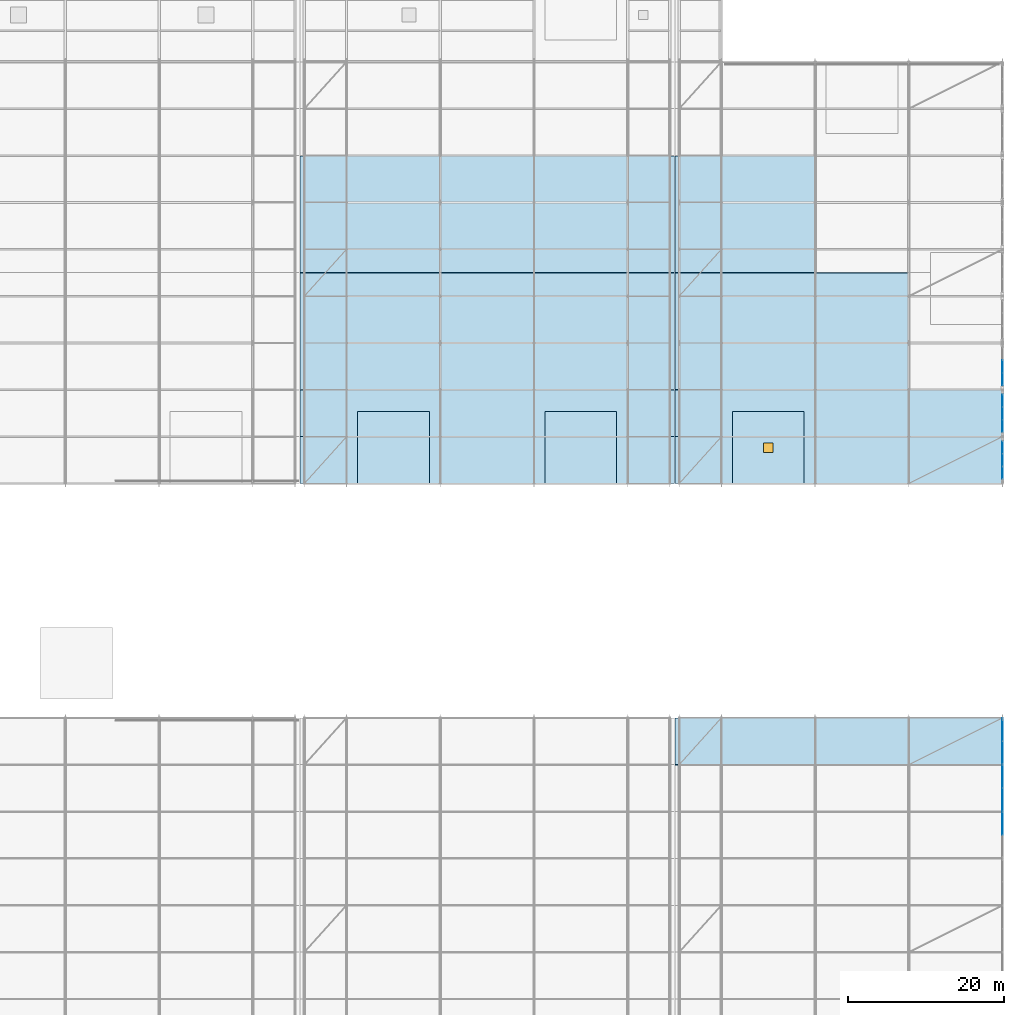
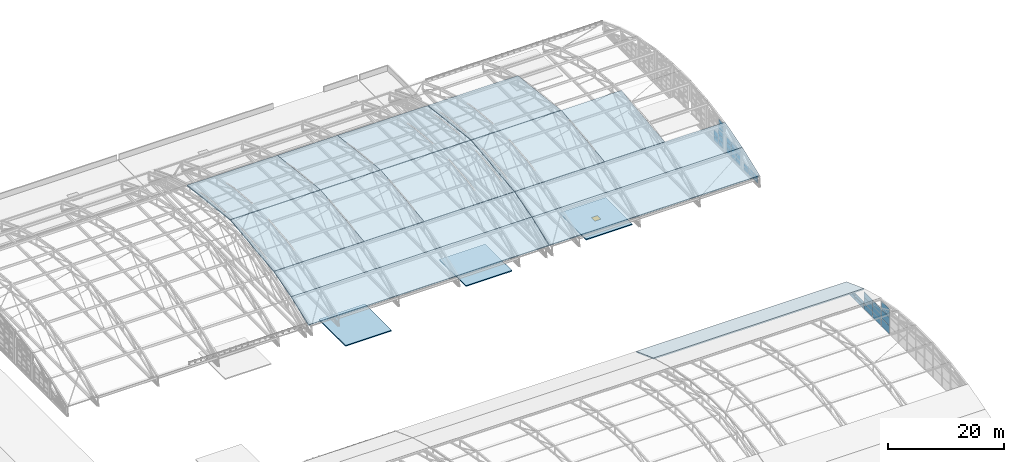
"""IFC4 building model written with IfcOpenShell, lengths in metres."""

from ifc_helpers import new_model, si_unit, direction, frame, origin, origin_2d, place, context, subcontext, project, spatial, polyline, rectangle, outline, extrude, material, layer, layer_set, type_object, element, fill, aggregate, save


model = new_model("IFC4")

# Units and contexts
model_context = context("Model", 3, precision=1e-05, world=origin(), true_north=direction((0.0, 1.0)))
body_context = subcontext(model_context, "Body", "Model", "MODEL_VIEW")
ifc_project = project(units=[si_unit("LENGTHUNIT", "METRE"), si_unit("AREAUNIT", "SQUARE_METRE"), si_unit("VOLUMEUNIT", "CUBIC_METRE"), si_unit("PLANEANGLEUNIT", "RADIAN"), si_unit("MASSUNIT", "GRAM", prefix="KILO")], contexts=[model_context])

# Site, building, storey
site_placement = place(None, origin())
site = spatial("IfcSite", under=ifc_project, at=site_placement, CompositionType="ELEMENT")
building_placement = place(site_placement, origin())
building = spatial("IfcBuilding", under=site, at=building_placement, Name="Zilviju Railside Exhibition Hall", CompositionType="ELEMENT")
storey_1_placement = place(building_placement, frame((0.0, 0.0, 21.0)))
storey_1 = spatial("IfcBuildingStorey", under=building, at=storey_1_placement, Name="RF", CompositionType="ELEMENT", Elevation=21.0)

# Curtain wall, plates
ifc_material_1 = material(Name="Thermally broken aluminium-steel triple-glazed curtain wall", Category="steel")
ifc_layer_1 = layer(ifc_material_1, 0.179931640625)
ifc_layer_set_1 = layer_set([ifc_layer_1], Name="Thermally broken aluminium-steel triple-glazed curtain wall")
curtain_wall_type_1 = type_object("IfcCurtainWallType", Name="CW-BAY-15", PredefinedType="USERDEFINED", material=ifc_layer_set_1)
curtain_wall_1_placement = place(storey_1_placement, origin())
curtain_wall_1 = element("IfcCurtainWall", 1, at=curtain_wall_1_placement, inside=storey_1, type_object=curtain_wall_type_1, Name="North Hall Arch Lower Tympanum Glazing East P3", ObjectType="GLAZED CURTAIN WALL", PredefinedType="USERDEFINED")
ifc_material_2 = material(Name="Laminated acoustic double-glazed porch unit", Category="glass")
ifc_layer_2 = layer(ifc_material_2, 0.031982421875)
ifc_layer_set_2 = layer_set([ifc_layer_2], Name="Laminated acoustic double-glazed porch unit")
plate_type_1 = type_object("IfcPlateType", Name="CWP-IGU-32", PredefinedType="CURTAIN_PANEL", material=ifc_layer_set_2)
plate_1_placement = place(storey_1_placement, frame((216.0, 99.0, -3.5400390625), z_axis=(0.0, 0.0, 1.0), x_axis=(0.0, -1.0, 0.0)))
plate_1 = element("IfcPlate", 2, at=plate_1_placement, type_object=plate_type_1, Name="CW-15 panel 2.1", PredefinedType="CURTAIN_PANEL", context=body_context, shape_type="SweptSolid", body=[
    extrude(rectangle(XDim=1.5732421875, YDim=0.031982421875, at=origin_2d()), origin(), (0.0, 0.0, 1.0), 1.04296875),
])
plate_2_placement = place(storey_1_placement, frame((216.0, 99.0, -2.43701171875), z_axis=(0.0, 0.0, 1.0), x_axis=(0.0, -1.0, 0.0)))
plate_2 = element("IfcPlate", 3, at=plate_2_placement, type_object=plate_type_1, Name="CW-15 panel 2.2", PredefinedType="CURTAIN_PANEL", context=body_context, shape_type="SweptSolid", body=[
    extrude(rectangle(XDim=1.5732421875, YDim=0.031982421875, at=origin_2d()), origin(), (0.0, 0.0, 1.0), 1.073974609375),
])
plate_3_placement = place(storey_1_placement, frame((216.0, 97.381591796875, -3.5400390625), z_axis=(0.0, 0.0, 1.0), x_axis=(0.0, -1.0, 0.0)))
plate_3 = element("IfcPlate", 4, at=plate_3_placement, type_object=plate_type_1, Name="CW-15 panel 3.1", PredefinedType="CURTAIN_PANEL", context=body_context, shape_type="SweptSolid", body=[
    extrude(rectangle(XDim=1.543212890625, YDim=0.031982421875, at=origin_2d()), origin(), (0.0, 0.0, 1.0), 1.04296875),
])
plate_4_placement = place(storey_1_placement, frame((216.0, 97.381591796875, -2.43701171875), z_axis=(0.0, 0.0, 1.0), x_axis=(0.0, -1.0, 0.0)))
plate_4 = element("IfcPlate", 5, at=plate_4_placement, type_object=plate_type_1, Name="CW-15 panel 3.2", PredefinedType="CURTAIN_PANEL", context=body_context, shape_type="SweptSolid", body=[
    extrude(rectangle(XDim=1.543212890625, YDim=0.031982421875, at=origin_2d()), origin(), (0.0, 0.0, 1.0), 1.073974609375),
])
plate_5_placement = place(storey_1_placement, frame((216.0, 97.381591796875, -1.302978515625), z_axis=(0.0, 0.0, 1.0), x_axis=(0.0, -1.0, 0.0)))
plate_5 = element("IfcPlate", 6, at=plate_5_placement, type_object=plate_type_1, Name="CW-15 panel 3.3", PredefinedType="CURTAIN_PANEL", context=body_context, shape_type="SweptSolid", body=[
    extrude(rectangle(XDim=1.543212890625, YDim=0.031982421875, at=origin_2d()), origin(), (0.0, 0.0, 1.0), 1.04296875),
])
aggregate(curtain_wall_1, [plate_1, plate_2, plate_3, plate_4, plate_5])

ifc_layer_3 = layer(ifc_material_1, 0.179931640625)
ifc_layer_set_3 = layer_set([ifc_layer_3], Name="Thermally broken aluminium-steel triple-glazed curtain wall")
curtain_wall_type_2 = type_object("IfcCurtainWallType", Name="CW-BAY-14", PredefinedType="USERDEFINED", material=ifc_layer_set_3)
curtain_wall_2_placement = place(storey_1_placement, origin())
curtain_wall_2 = element("IfcCurtainWall", 7, at=curtain_wall_2_placement, inside=storey_1, type_object=curtain_wall_type_2, Name="North Hall Arch Lower Tympanum Glazing East P2", ObjectType="GLAZED CURTAIN WALL", PredefinedType="USERDEFINED")
ifc_material_3 = material(Name="Triple-glazed solar-control glass unit", Category="glass")
ifc_layer_4 = layer(ifc_material_3, 0.0380859375)
ifc_layer_set_4 = layer_set([ifc_layer_4], Name="Triple-glazed solar-control glass unit")
plate_type_2 = type_object("IfcPlateType", Name="CWP-IGU-38", PredefinedType="CURTAIN_PANEL", material=ifc_layer_set_4)
plate_6_placement = place(storey_1_placement, frame((216.0, 94.6171875, -3.53515625), z_axis=(0.0, 0.0, 1.0), x_axis=(0.0, -1.0, 0.0)))
plate_6 = element("IfcPlate", 8, at=plate_6_placement, type_object=plate_type_2, Name="CW-14 panel 1.1", PredefinedType="CURTAIN_PANEL", context=body_context, shape_type="SweptSolid", body=[
    extrude(rectangle(XDim=1.535888671875, YDim=0.0380859375, at=origin_2d()), origin(), (0.0, 0.0, 1.0), 1.035400390625),
])
plate_7_placement = place(storey_1_placement, frame((216.0, 94.6171875, -2.4345703125), z_axis=(0.0, 0.0, 1.0), x_axis=(0.0, -1.0, 0.0)))
plate_7 = element("IfcPlate", 9, at=plate_7_placement, type_object=plate_type_2, Name="CW-14 panel 1.2", PredefinedType="CURTAIN_PANEL", context=body_context, shape_type="SweptSolid", body=[
    extrude(rectangle(XDim=1.535888671875, YDim=0.0380859375, at=origin_2d()), origin(), (0.0, 0.0, 1.0), 1.069091796875),
])
plate_8_placement = place(storey_1_placement, frame((216.0, 94.6171875, -1.30029296875), z_axis=(0.0, 0.0, 1.0), x_axis=(0.0, -1.0, 0.0)))
plate_8 = element("IfcPlate", 10, at=plate_8_placement, type_object=plate_type_2, Name="CW-14 panel 1.3", PredefinedType="CURTAIN_PANEL", context=body_context, shape_type="SweptSolid", body=[
    extrude(rectangle(XDim=1.535888671875, YDim=0.0380859375, at=origin_2d()), origin(), (0.0, 0.0, 1.0), 1.035400390625),
])
plate_9_placement = place(storey_1_placement, frame((216.0, 93.0, -3.53515625), z_axis=(0.0, 0.0, 1.0), x_axis=(0.0, -1.0, 0.0)))
plate_9 = element("IfcPlate", 11, at=plate_9_placement, type_object=plate_type_2, Name="CW-14 panel 2.1", PredefinedType="CURTAIN_PANEL", context=body_context, shape_type="SweptSolid", body=[
    extrude(rectangle(XDim=1.568359375, YDim=0.0380859375, at=origin_2d()), origin(), (0.0, 0.0, 1.0), 1.035400390625),
])
plate_10_placement = place(storey_1_placement, frame((216.0, 93.0, -2.4345703125), z_axis=(0.0, 0.0, 1.0), x_axis=(0.0, -1.0, 0.0)))
plate_10 = element("IfcPlate", 12, at=plate_10_placement, type_object=plate_type_2, Name="CW-14 panel 2.2", PredefinedType="CURTAIN_PANEL", context=body_context, shape_type="SweptSolid", body=[
    extrude(rectangle(XDim=1.568359375, YDim=0.0380859375, at=origin_2d()), origin(), (0.0, 0.0, 1.0), 1.069091796875),
])
plate_11_placement = place(storey_1_placement, frame((216.0, 93.0, -1.30029296875), z_axis=(0.0, 0.0, 1.0), x_axis=(0.0, -1.0, 0.0)))
plate_11 = element("IfcPlate", 13, at=plate_11_placement, type_object=plate_type_2, Name="CW-14 panel 2.3", PredefinedType="CURTAIN_PANEL", context=body_context, shape_type="SweptSolid", body=[
    extrude(rectangle(XDim=1.568359375, YDim=0.0380859375, at=origin_2d()), origin(), (0.0, 0.0, 1.0), 1.035400390625),
])
plate_12_placement = place(storey_1_placement, frame((216.0, 91.3828125, -3.53515625), z_axis=(0.0, 0.0, 1.0), x_axis=(0.0, -1.0, 0.0)))
plate_12 = element("IfcPlate", 14, at=plate_12_placement, type_object=plate_type_2, Name="CW-14 panel 3.1", PredefinedType="CURTAIN_PANEL", context=body_context, shape_type="SweptSolid", body=[
    extrude(rectangle(XDim=1.535888671875, YDim=0.0380859375, at=origin_2d()), origin(), (0.0, 0.0, 1.0), 1.035400390625),
])
plate_13_placement = place(storey_1_placement, frame((216.0, 91.3828125, -2.4345703125), z_axis=(0.0, 0.0, 1.0), x_axis=(0.0, -1.0, 0.0)))
plate_13 = element("IfcPlate", 15, at=plate_13_placement, type_object=plate_type_2, Name="CW-14 panel 3.2", PredefinedType="CURTAIN_PANEL", context=body_context, shape_type="SweptSolid", body=[
    extrude(rectangle(XDim=1.535888671875, YDim=0.0380859375, at=origin_2d()), origin(), (0.0, 0.0, 1.0), 1.069091796875),
])
plate_14_placement = place(storey_1_placement, frame((216.0, 91.3828125, -1.30029296875), z_axis=(0.0, 0.0, 1.0), x_axis=(0.0, -1.0, 0.0)))
plate_14 = element("IfcPlate", 16, at=plate_14_placement, type_object=plate_type_2, Name="CW-14 panel 3.3", PredefinedType="CURTAIN_PANEL", context=body_context, shape_type="SweptSolid", body=[
    extrude(rectangle(XDim=1.535888671875, YDim=0.0380859375, at=origin_2d()), origin(), (0.0, 0.0, 1.0), 1.035400390625),
])
aggregate(curtain_wall_2, [plate_6, plate_7, plate_8, plate_9, plate_10, plate_11, plate_12, plate_13, plate_14])

ifc_layer_5 = layer(ifc_material_1, 0.179931640625)
ifc_layer_set_5 = layer_set([ifc_layer_5], Name="Thermally broken aluminium-steel triple-glazed curtain wall")
curtain_wall_type_3 = type_object("IfcCurtainWallType", Name="CW-BAY-13", PredefinedType="USERDEFINED", material=ifc_layer_set_5)
curtain_wall_3_placement = place(storey_1_placement, origin())
curtain_wall_3 = element("IfcCurtainWall", 17, at=curtain_wall_3_placement, inside=storey_1, type_object=curtain_wall_type_3, Name="North Hall Arch Lower Tympanum Glazing East P1", ObjectType="GLAZED CURTAIN WALL", PredefinedType="USERDEFINED")
ifc_material_4 = material(Name="Triple-glazed low-E argon insulating glass unit", Category="glass")
ifc_layer_6 = layer(ifc_material_4, 0.0439453125)
ifc_layer_set_6 = layer_set([ifc_layer_6], Name="Triple-glazed low-E argon insulating glass unit")
plate_type_3 = type_object("IfcPlateType", Name="CWP-IGU-44", PredefinedType="CURTAIN_PANEL", material=ifc_layer_set_6)
plate_15_placement = place(storey_1_placement, frame((216.0, 88.61572265625, -3.5302734375), z_axis=(0.0, 0.0, 1.0), x_axis=(0.0, -1.0, 0.0)))
plate_15 = element("IfcPlate", 18, at=plate_15_placement, type_object=plate_type_3, Name="CW-13 panel 1.1", PredefinedType="CURTAIN_PANEL", context=body_context, shape_type="SweptSolid", body=[
    extrude(rectangle(XDim=1.5283203125, YDim=0.0439453125, at=origin_2d()), origin(), (0.0, 0.0, 1.0), 0.695068359375),
])
plate_16_placement = place(storey_1_placement, frame((216.0, 88.61572265625, -2.76513671875), z_axis=(0.0, 0.0, 1.0), x_axis=(0.0, -1.0, 0.0)))
plate_16 = element("IfcPlate", 19, at=plate_16_placement, type_object=plate_type_3, Name="CW-13 panel 1.2", PredefinedType="CURTAIN_PANEL", context=body_context, shape_type="SweptSolid", body=[
    extrude(rectangle(XDim=1.5283203125, YDim=0.0439453125, at=origin_2d()), origin(), (0.0, 0.0, 1.0), 0.695068359375),
])
plate_17_placement = place(storey_1_placement, frame((216.0, 87.0, -3.5302734375), z_axis=(0.0, 0.0, 1.0), x_axis=(0.0, -1.0, 0.0)))
plate_17 = element("IfcPlate", 20, at=plate_17_placement, type_object=plate_type_3, Name="CW-13 panel 2.1", PredefinedType="CURTAIN_PANEL", context=body_context, shape_type="SweptSolid", body=[
    extrude(rectangle(XDim=1.563232421875, YDim=0.0439453125, at=origin_2d()), origin(), (0.0, 0.0, 1.0), 0.695068359375),
])
plate_18_placement = place(storey_1_placement, frame((216.0, 87.0, -2.76513671875), z_axis=(0.0, 0.0, 1.0), x_axis=(0.0, -1.0, 0.0)))
plate_18 = element("IfcPlate", 21, at=plate_18_placement, type_object=plate_type_3, Name="CW-13 panel 2.2", PredefinedType="CURTAIN_PANEL", context=body_context, shape_type="SweptSolid", body=[
    extrude(rectangle(XDim=1.563232421875, YDim=0.0439453125, at=origin_2d()), origin(), (0.0, 0.0, 1.0), 0.695068359375),
])
plate_19_placement = place(storey_1_placement, frame((216.0, 85.38427734375, -3.5302734375), z_axis=(0.0, 0.0, 1.0), x_axis=(0.0, -1.0, 0.0)))
plate_19 = element("IfcPlate", 22, at=plate_19_placement, type_object=plate_type_3, Name="CW-13 panel 3.1", PredefinedType="CURTAIN_PANEL", context=body_context, shape_type="SweptSolid", body=[
    extrude(rectangle(XDim=1.5283203125, YDim=0.0439453125, at=origin_2d()), origin(), (0.0, 0.0, 1.0), 0.695068359375),
])
plate_20_placement = place(storey_1_placement, frame((216.0, 85.38427734375, -2.76513671875), z_axis=(0.0, 0.0, 1.0), x_axis=(0.0, -1.0, 0.0)))
plate_20 = element("IfcPlate", 23, at=plate_20_placement, type_object=plate_type_3, Name="CW-13 panel 3.2", PredefinedType="CURTAIN_PANEL", context=body_context, shape_type="SweptSolid", body=[
    extrude(rectangle(XDim=1.5283203125, YDim=0.0439453125, at=origin_2d()), origin(), (0.0, 0.0, 1.0), 0.695068359375),
])
aggregate(curtain_wall_3, [plate_15, plate_16, plate_17, plate_18, plate_19, plate_20])

ifc_layer_7 = layer(ifc_material_1, 0.179931640625)
ifc_layer_set_7 = layer_set([ifc_layer_7], Name="Thermally broken aluminium-steel triple-glazed curtain wall")
curtain_wall_type_4 = type_object("IfcCurtainWallType", Name="CW-BAY-06", PredefinedType="USERDEFINED", material=ifc_layer_set_7)
curtain_wall_4_placement = place(storey_1_placement, origin())
curtain_wall_4 = element("IfcCurtainWall", 24, at=curtain_wall_4_placement, inside=storey_1, type_object=curtain_wall_type_4, Name="South Hall Arch Tympanum Glazing East P9", ObjectType="GLAZED CURTAIN WALL", PredefinedType="USERDEFINED")
plate_21_placement = place(storey_1_placement, frame((216.0, 52.486328125, -7.7451171875), z_axis=(0.0, 0.0, 1.0), x_axis=(0.0, -1.0, 0.0)))
plate_21 = element("IfcPlate", 25, at=plate_21_placement, type_object=plate_type_3, Name="CW-06 panel 1.1", PredefinedType="CURTAIN_PANEL", context=body_context, shape_type="SweptSolid", body=[
    extrude(rectangle(XDim=2.91748046875, YDim=0.0439453125, at=origin_2d()), origin(), (0.0, 0.0, 1.0), 0.717529296875),
])
plate_22_placement = place(storey_1_placement, frame((216.0, 52.486328125, -6.97265625), z_axis=(0.0, 0.0, 1.0), x_axis=(0.0, -1.0, 0.0)))
plate_22 = element("IfcPlate", 26, at=plate_22_placement, type_object=plate_type_3, Name="CW-06 panel 1.2", PredefinedType="CURTAIN_PANEL", context=body_context, shape_type="SweptSolid", body=[
    extrude(rectangle(XDim=2.91748046875, YDim=0.0439453125, at=origin_2d()), origin(), (0.0, 0.0, 1.0), 0.717529296875),
])
plate_23_placement = place(storey_1_placement, frame((216.0, 49.513671875, -7.7451171875), z_axis=(0.0, 0.0, 1.0), x_axis=(0.0, -1.0, 0.0)))
plate_23 = element("IfcPlate", 27, at=plate_23_placement, type_object=plate_type_3, Name="CW-06 panel 2.1", PredefinedType="CURTAIN_PANEL", context=body_context, shape_type="SweptSolid", body=[
    extrude(rectangle(XDim=2.91748046875, YDim=0.0439453125, at=origin_2d()), origin(), (0.0, 0.0, 1.0), 0.717529296875),
])
plate_24_placement = place(storey_1_placement, frame((216.0, 49.513671875, -6.97265625), z_axis=(0.0, 0.0, 1.0), x_axis=(0.0, -1.0, 0.0)))
plate_24 = element("IfcPlate", 28, at=plate_24_placement, type_object=plate_type_3, Name="CW-06 panel 2.2", PredefinedType="CURTAIN_PANEL", context=body_context, shape_type="SweptSolid", body=[
    extrude(rectangle(XDim=2.91748046875, YDim=0.0439453125, at=origin_2d()), origin(), (0.0, 0.0, 1.0), 0.717529296875),
])
aggregate(curtain_wall_4, [plate_21, plate_22, plate_23, plate_24])

ifc_layer_8 = layer(ifc_material_1, 0.179931640625)
ifc_layer_set_8 = layer_set([ifc_layer_8], Name="Thermally broken aluminium-steel triple-glazed curtain wall")
curtain_wall_type_5 = type_object("IfcCurtainWallType", Name="CW-BAY-02", PredefinedType="USERDEFINED", material=ifc_layer_set_8)
curtain_wall_5_placement = place(storey_1_placement, origin())
curtain_wall_5 = element("IfcCurtainWall", 29, at=curtain_wall_5_placement, inside=storey_1, type_object=curtain_wall_type_5, Name="North Hall Crown Arch Tympanum Glazing East P3", ObjectType="GLAZED CURTAIN WALL", PredefinedType="USERDEFINED")
ifc_material_5 = material(Name="Insulated cobalt-blue enamelled spandrel glass panel", Category="glass")
ifc_layer_9 = layer(ifc_material_5, 0.052001953125)
ifc_layer_set_9 = layer_set([ifc_layer_9], Name="Insulated cobalt-blue enamelled spandrel glass panel")
plate_type_4 = type_object("IfcPlateType", Name="CWP-SPD-52", PredefinedType="CURTAIN_PANEL", material=ifc_layer_set_9)
plate_25_placement = place(storey_1_placement, frame((216.0, 97.38671875, -0.1201171875), z_axis=(0.0, 0.0, 1.0), x_axis=(0.0, -1.0, 0.0)))
plate_25 = element("IfcPlate", 30, at=plate_25_placement, type_object=plate_type_4, Name="CW-02 panel 3.1", PredefinedType="CURTAIN_PANEL", context=body_context, shape_type="SweptSolid", body=[
    extrude(rectangle(XDim=1.513427734375, YDim=0.052001953125, at=origin_2d()), origin(), (0.0, 0.0, 1.0), 0.985107421875),
])
plate_26_placement = place(storey_1_placement, frame((216.0, 97.38671875, 0.945068359375), z_axis=(0.0, 0.0, 1.0), x_axis=(0.0, -1.0, 0.0)))
plate_26 = element("IfcPlate", 31, at=plate_26_placement, type_object=plate_type_4, Name="CW-02 panel 3.2", PredefinedType="CURTAIN_PANEL", context=body_context, shape_type="SweptSolid", body=[
    extrude(rectangle(XDim=1.513427734375, YDim=0.052001953125, at=origin_2d()), origin(), (0.0, 0.0, 1.0), 0.98486328125),
])
aggregate(curtain_wall_5, [plate_25, plate_26])

ifc_layer_10 = layer(ifc_material_1, 0.179931640625)
ifc_layer_set_10 = layer_set([ifc_layer_10], Name="Thermally broken aluminium-steel triple-glazed curtain wall")
curtain_wall_type_6 = type_object("IfcCurtainWallType", Name="CW-BAY-04", PredefinedType="USERDEFINED", material=ifc_layer_set_10)
curtain_wall_6_placement = place(storey_1_placement, origin())
curtain_wall_6 = element("IfcCurtainWall", 32, at=curtain_wall_6_placement, inside=storey_1, type_object=curtain_wall_type_6, Name="South Hall Arch Tympanum Glazing East P7", ObjectType="GLAZED CURTAIN WALL", PredefinedType="USERDEFINED")
plate_27_placement = place(storey_1_placement, frame((216.0, 40.47998046875, -7.719970703125), z_axis=(0.0, 0.0, 1.0), x_axis=(0.0, -1.0, 0.0)))
plate_27 = element("IfcPlate", 33, at=plate_27_placement, type_object=plate_type_4, Name="CW-04 panel 1.1", PredefinedType="CURTAIN_PANEL", context=body_context, shape_type="SweptSolid", body=[
    extrude(rectangle(XDim=2.8798828125, YDim=0.052001953125, at=origin_2d()), origin(), (0.0, 0.0, 1.0), 1.7041015625),
])
plate_28_placement = place(storey_1_placement, frame((216.0, 40.47998046875, -5.93603515625), z_axis=(0.0, 0.0, 1.0), x_axis=(0.0, -1.0, 0.0)))
plate_28 = element("IfcPlate", 34, at=plate_28_placement, type_object=plate_type_4, Name="CW-04 panel 1.2", PredefinedType="CURTAIN_PANEL", context=body_context, shape_type="SweptSolid", body=[
    extrude(rectangle(XDim=2.8798828125, YDim=0.052001953125, at=origin_2d()), origin(), (0.0, 0.0, 1.0), 1.743896484375),
])
plate_29_placement = place(storey_1_placement, frame((216.0, 40.47998046875, -4.112060546875), z_axis=(0.0, 0.0, 1.0), x_axis=(0.0, -1.0, 0.0)))
plate_29 = element("IfcPlate", 35, at=plate_29_placement, type_object=plate_type_4, Name="CW-04 panel 1.3", PredefinedType="CURTAIN_PANEL", context=body_context, shape_type="SweptSolid", body=[
    extrude(rectangle(XDim=2.8798828125, YDim=0.052001953125, at=origin_2d()), origin(), (0.0, 0.0, 1.0), 1.7041015625),
])
aggregate(curtain_wall_6, [plate_27, plate_28, plate_29])

ifc_layer_11 = layer(ifc_material_1, 0.179931640625)
ifc_layer_set_11 = layer_set([ifc_layer_11], Name="Thermally broken aluminium-steel triple-glazed curtain wall")
curtain_wall_type_7 = type_object("IfcCurtainWallType", Name="CW-BAY-05", PredefinedType="USERDEFINED", material=ifc_layer_set_11)
curtain_wall_7_placement = place(storey_1_placement, origin())
curtain_wall_7 = element("IfcCurtainWall", 36, at=curtain_wall_7_placement, inside=storey_1, type_object=curtain_wall_type_7, Name="South Hall Arch Tympanum Glazing East P8", ObjectType="GLAZED CURTAIN WALL", PredefinedType="USERDEFINED")
ifc_material_6 = material(Name="Insulated emerald ceramic-frit spandrel panel", Category="glass")
ifc_layer_12 = layer(ifc_material_6, 0.06396484375)
ifc_layer_set_12 = layer_set([ifc_layer_12], Name="Insulated emerald ceramic-frit spandrel panel")
plate_type_5 = type_object("IfcPlateType", Name="CWP-SPD-64", PredefinedType="CURTAIN_PANEL", material=ifc_layer_set_12)
plate_30_placement = place(storey_1_placement, frame((216.0, 46.481201171875, -7.72509765625), z_axis=(0.0, 0.0, 1.0), x_axis=(0.0, -1.0, 0.0)))
plate_30 = element("IfcPlate", 37, at=plate_30_placement, type_object=plate_type_5, Name="CW-05 panel 1.1", PredefinedType="CURTAIN_PANEL", context=body_context, shape_type="SweptSolid", body=[
    extrude(rectangle(XDim=2.887451171875, YDim=0.06396484375, at=origin_2d()), origin(), (0.0, 0.0, 1.0), 1.158447265625),
])
plate_31_placement = place(storey_1_placement, frame((216.0, 46.481201171875, -6.49169921875), z_axis=(0.0, 0.0, 1.0), x_axis=(0.0, -1.0, 0.0)))
plate_31 = element("IfcPlate", 38, at=plate_31_placement, type_object=plate_type_5, Name="CW-05 panel 1.2", PredefinedType="CURTAIN_PANEL", context=body_context, shape_type="SweptSolid", body=[
    extrude(rectangle(XDim=2.887451171875, YDim=0.06396484375, at=origin_2d()), origin(), (0.0, 0.0, 1.0), 1.195068359375),
])
plate_32_placement = place(storey_1_placement, frame((216.0, 46.481201171875, -5.2216796875), z_axis=(0.0, 0.0, 1.0), x_axis=(0.0, -1.0, 0.0)))
plate_32 = element("IfcPlate", 39, at=plate_32_placement, type_object=plate_type_5, Name="CW-05 panel 1.3", PredefinedType="CURTAIN_PANEL", context=body_context, shape_type="SweptSolid", body=[
    extrude(rectangle(XDim=2.887451171875, YDim=0.06396484375, at=origin_2d()), origin(), (0.0, 0.0, 1.0), 1.158447265625),
])
plate_33_placement = place(storey_1_placement, frame((216.0, 43.518798828125, -7.72509765625), z_axis=(0.0, 0.0, 1.0), x_axis=(0.0, -1.0, 0.0)))
plate_33 = element("IfcPlate", 40, at=plate_33_placement, type_object=plate_type_5, Name="CW-05 panel 2.1", PredefinedType="CURTAIN_PANEL", context=body_context, shape_type="SweptSolid", body=[
    extrude(rectangle(XDim=2.887451171875, YDim=0.06396484375, at=origin_2d()), origin(), (0.0, 0.0, 1.0), 1.158447265625),
])
plate_34_placement = place(storey_1_placement, frame((216.0, 43.518798828125, -6.49169921875), z_axis=(0.0, 0.0, 1.0), x_axis=(0.0, -1.0, 0.0)))
plate_34 = element("IfcPlate", 41, at=plate_34_placement, type_object=plate_type_5, Name="CW-05 panel 2.2", PredefinedType="CURTAIN_PANEL", context=body_context, shape_type="SweptSolid", body=[
    extrude(rectangle(XDim=2.887451171875, YDim=0.06396484375, at=origin_2d()), origin(), (0.0, 0.0, 1.0), 1.195068359375),
])
plate_35_placement = place(storey_1_placement, frame((216.0, 43.518798828125, -5.2216796875), z_axis=(0.0, 0.0, 1.0), x_axis=(0.0, -1.0, 0.0)))
plate_35 = element("IfcPlate", 42, at=plate_35_placement, type_object=plate_type_5, Name="CW-05 panel 2.3", PredefinedType="CURTAIN_PANEL", context=body_context, shape_type="SweptSolid", body=[
    extrude(rectangle(XDim=2.887451171875, YDim=0.06396484375, at=origin_2d()), origin(), (0.0, 0.0, 1.0), 1.158447265625),
])
aggregate(curtain_wall_7, [plate_30, plate_31, plate_32, plate_33, plate_34, plate_35])

# Slabs
ifc_material_7 = material(Name="Concrete C35/45", Category="concrete")
ifc_layer_13 = layer(ifc_material_7, 0.219970703125)
ifc_layer_set_13 = layer_set([ifc_layer_13], Name="Concrete C35/45")
slab_type_1 = type_object("IfcSlabType", Name="SL-RCAP-220", PredefinedType="ROOF", material=ifc_layer_set_13)
slab_1_placement = place(storey_1_placement, frame((0.0, 0.0, -8.6201171875)))
element("IfcSlab", 43, at=slab_1_placement, inside=storey_1, type_object=slab_type_1, Name="Core C05 North Hall Court MidW Overrun Roof Cap", PredefinedType="ROOF", context=body_context, shape_type="SweptSolid", body=[
    extrude(outline(polyline([(133.39990234375, 84.0), (142.60009765625, 84.0), (142.60009765625, 93.199951171875), (133.39990234375, 93.199951171875), (133.39990234375, 84.0)])), origin(), (0.0, 0.0, 1.0), 0.22021484375),
])
slab_2_placement = place(storey_1_placement, frame((0.0, 0.0, -4.419921875)))
element("IfcSlab", 44, at=slab_2_placement, inside=storey_1, type_object=slab_type_1, Name="Core C06 North Hall Court MidE Overrun Roof Cap", PredefinedType="ROOF", context=body_context, shape_type="SweptSolid", body=[
    extrude(outline(polyline([(157.39990234375, 84.0), (166.60009765625, 84.0), (166.60009765625, 93.199951171875), (157.39990234375, 93.199951171875), (157.39990234375, 84.0)])), origin(), (0.0, 0.0, 1.0), 0.219970703125),
])

# Slab, opening
slab_3_placement = place(storey_1_placement, frame((0.0, 0.0, -3.02001953125)))
slab_3 = element("IfcSlab", 45, at=slab_3_placement, inside=storey_1, type_object=slab_type_1, Name="Core C07 North Hall Court East Overrun Roof Cap", PredefinedType="ROOF", context=body_context, shape_type="SweptSolid", body=[
    extrude(outline(polyline([(181.39990234375, 84.0), (190.60009765625, 84.0), (190.60009765625, 93.199951171875), (181.39990234375, 93.199951171875), (181.39990234375, 84.0)])), origin(), (0.0, 0.0, 1.0), 0.219970703125),
])
opening_placement = place(slab_3_placement, frame((186.0, 88.60009765625, 0.0)))
opening = element("IfcOpeningElement", 46, at=opening_placement, cuts=slab_3, Name="Opening SK-04", PredefinedType="OPENING", context=body_context, shape_type="SweptSolid", body=[
    extrude(rectangle(XDim=1.199951171875, YDim=1.199951171875, at=origin_2d()), frame((0.0, 0.0, -0.010009765625)), (0.0, 0.0, 1.0), 0.239990234375),
])

# Storey
storey_2_placement = place(building_placement, frame((0.0, 0.0, 12.60009765625)))
storey_2 = spatial("IfcBuildingStorey", under=building, at=storey_2_placement, Name="L04", CompositionType="ELEMENT", Elevation=12.60009765625)

# Window
ifc_material_8 = material(Name="Triple-glazed timber-aluminium window unit", Category="wood")
window_type = type_object("IfcWindowType", Name="SKY-HT-120x120", PartitioningType="SINGLE_PANEL", PredefinedType="SKYLIGHT", material=ifc_material_8)
window_placement = place(opening_placement, frame((0.0, 0.0, 0.159912109375)))
window = element("IfcWindow", 47, at=window_placement, inside=storey_2, type_object=window_type, Name="ROOF ACCESS HATCH RH-04", OverallHeight=1.199951171875, OverallWidth=1.199951171875, PartitioningType="SINGLE_PANEL", PredefinedType="SKYLIGHT", context=body_context, shape_type="SweptSolid", body=[
    extrude(rectangle(XDim=1.199951171875, YDim=1.199951171875, at=origin_2d()), origin(), (0.0, 0.0, 1.0), 0.06005859375),
])

fill(opening, window)

# Roof, slab
ifc_material_9 = material(Name="Standing-seam zinc-copper acoustic barrel roof deck", Category="steel")
ifc_layer_14 = layer(ifc_material_9, 0.239990234375)
ifc_layer_set_14 = layer_set([ifc_layer_14], Name="Standing-seam zinc-copper acoustic barrel roof deck")
roof_type = type_object("IfcRoofType", Name="ROOF-BARREL-ZINC", PredefinedType="BARREL_ROOF", material=ifc_layer_set_14)
roof_1_placement = place(storey_1_placement, origin())
roof_1 = element("IfcRoof", 48, at=roof_1_placement, inside=storey_1, type_object=roof_type, Name="V1 Standing-Seam Barrel Vault Roof Block 3", PredefinedType="BARREL_ROOF")
ifc_layer_15 = layer(ifc_material_7, 0.22998046875)
ifc_layer_set_15 = layer_set([ifc_layer_15], Name="Concrete C35/45")
slab_type_2 = type_object("IfcSlabType", Name="SL-ROOF-230", PredefinedType="ROOF", material=ifc_layer_set_15)
slab_4_placement = place(storey_1_placement, frame((174.030029296875, 48.0, -3.462646484375), z_axis=(0.0, 0.345963648468, 0.938247917098), x_axis=(1.0, 0.0, 0.0)))
slab_4 = element("IfcSlab", 49, at=slab_4_placement, type_object=slab_type_2, Name="V1 Barrel Vault Roof Deck B3.9", PredefinedType="ROOF", context=body_context, shape_type="SweptSolid", body=[
    extrude(outline(polyline([(0.0, 0.0), (41.969970703125, 0.0), (41.969970703125, 6.394898289310824), (0.0, 6.394898289310824), (0.0, 0.0)])), origin(), (0.0, 0.0, -1.0), 0.22998046875),
])
aggregate(roof_1, [slab_4])

# Roof, slabs
roof_2_placement = place(storey_1_placement, origin())
roof_2 = element("IfcRoof", 50, at=roof_2_placement, inside=storey_1, type_object=roof_type, Name="V2 Standing-Seam Barrel Vault Roof Block 2", PredefinedType="BARREL_ROOF")
ifc_layer_16 = layer(ifc_material_7, 0.239990234375)
ifc_layer_set_16 = layer_set([ifc_layer_16], Name="Concrete C35/45")
slab_type_3 = type_object("IfcSlabType", Name="SL-ROOF-240", PredefinedType="ROOF", material=ifc_layer_set_16)
slab_5_placement = place(storey_1_placement, frame((126.030029296875, 84.0, -1.465087890625), z_axis=(0.0, -0.35678239229, 0.934187521086), x_axis=(1.0, 0.0, 0.0)))
slab_5 = element("IfcSlab", 51, at=slab_5_placement, type_object=slab_type_3, Name="V2 Barrel Vault Roof Deck B2.1", PredefinedType="ROOF", context=body_context, shape_type="SweptSolid", body=[
    extrude(outline(polyline([(0.0, 0.0), (47.93994140625, 0.0), (47.93994140625, 6.422693372126604), (0.0, 6.422693372126604), (0.0, 0.0)])), origin(), (0.0, 0.0, -1.0), 0.239990234375),
])
slab_6_placement = place(storey_1_placement, frame((126.030029296875, 90.0, 0.826416015625), z_axis=(0.0, -0.275317695381, 0.961353299578), x_axis=(1.0, 0.0, 0.0)))
slab_6 = element("IfcSlab", 52, at=slab_6_placement, type_object=slab_type_3, Name="V2 Barrel Vault Roof Deck B2.2", PredefinedType="ROOF", context=body_context, shape_type="SweptSolid", body=[
    extrude(outline(polyline([(0.0, 0.0), (47.93994140625, 0.0), (47.93994140625, 6.2152984328136895), (0.0, 6.2152984328136895), (0.0, 0.0)])), origin(), (0.0, 0.0, -1.0), 0.239990234375),
])
slab_7_placement = place(storey_1_placement, frame((126.030029296875, 96.02490234375, 2.5478515625), z_axis=(0.0, -0.118492781909, 0.992954913697), x_axis=(1.0, 0.0, 0.0)))
slab_7 = element("IfcSlab", 53, at=slab_7_placement, type_object=slab_type_3, Name="V2 Barrel Vault Roof Deck B2.3", PredefinedType="ROOF", context=body_context, shape_type="SweptSolid", body=[
    extrude(outline(polyline([(0.0, 0.0), (17.969970703125, 0.0), (17.969970703125, 15.051104690874256), (0.0, 15.051104690874256), (0.0, 0.0)])), origin(), (0.0, 0.0, -1.0), 0.239990234375),
])
slab_8_placement = place(storey_1_placement, frame((144.0, 96.02490234375, 2.5478515625), z_axis=(0.0, -0.118492781909, 0.992954913697), x_axis=(1.0, 0.0, 0.0)))
slab_8 = element("IfcSlab", 54, at=slab_8_placement, type_object=slab_type_3, Name="V2 Barrel Vault Roof Deck B2.4", PredefinedType="ROOF", context=body_context, shape_type="SweptSolid", body=[
    extrude(outline(polyline([(0.0, 0.0), (12.0, 0.0), (12.0, 15.051104690874254), (0.0, 15.051104690874254), (0.0, 0.0)])), origin(), (0.0, 0.0, -1.0), 0.239990234375),
])
slab_9_placement = place(storey_1_placement, frame((156.0, 96.02490234375, 2.5478515625), z_axis=(0.0, -0.118492781909, 0.992954913697), x_axis=(1.0, 0.0, 0.0)))
slab_9 = element("IfcSlab", 55, at=slab_9_placement, type_object=slab_type_3, Name="V2 Barrel Vault Roof Deck B2.5", PredefinedType="ROOF", context=body_context, shape_type="SweptSolid", body=[
    extrude(outline(polyline([(0.0, 0.0), (17.969970703125, 0.0), (17.969970703125, 15.051104690874256), (0.0, 15.051104690874256), (0.0, 0.0)])), origin(), (0.0, 0.0, -1.0), 0.239990234375),
])
slab_10_placement = place(storey_1_placement, frame((126.030029296875, 111.030029296875, 4.331298828125), z_axis=(0.0, 0.118492781909, 0.992954913697), x_axis=(1.0, 0.0, 0.0)))
slab_10 = element("IfcSlab", 56, at=slab_10_placement, type_object=slab_type_3, Name="V2 Barrel Vault Roof Deck B2.6", PredefinedType="ROOF", context=body_context, shape_type="SweptSolid", body=[
    extrude(outline(polyline([(0.0, 0.0), (17.969970703125, 0.0), (17.969970703125, 15.051104690874256), (0.0, 15.051104690874256), (0.0, 0.0)])), origin(), (0.0, 0.0, -1.0), 0.239990234375),
])
slab_11_placement = place(storey_1_placement, frame((144.0, 111.030029296875, 4.331298828125), z_axis=(0.0, 0.118492781909, 0.992954913697), x_axis=(1.0, 0.0, 0.0)))
slab_11 = element("IfcSlab", 57, at=slab_11_placement, type_object=slab_type_3, Name="V2 Barrel Vault Roof Deck B2.7", PredefinedType="ROOF", context=body_context, shape_type="SweptSolid", body=[
    extrude(outline(polyline([(0.0, 0.0), (12.0, 0.0), (12.0, 15.051104690874254), (0.0, 15.051104690874254), (0.0, 0.0)])), origin(), (0.0, 0.0, -1.0), 0.239990234375),
])
slab_12_placement = place(storey_1_placement, frame((156.0, 111.030029296875, 4.331298828125), z_axis=(0.0, 0.118492781909, 0.992954913697), x_axis=(1.0, 0.0, 0.0)))
slab_12 = element("IfcSlab", 58, at=slab_12_placement, type_object=slab_type_3, Name="V2 Barrel Vault Roof Deck B2.8", PredefinedType="ROOF", context=body_context, shape_type="SweptSolid", body=[
    extrude(outline(polyline([(0.0, 0.0), (17.969970703125, 0.0), (17.969970703125, 15.051104690874256), (0.0, 15.051104690874256), (0.0, 0.0)])), origin(), (0.0, 0.0, -1.0), 0.239990234375),
])
aggregate(roof_2, [slab_5, slab_6, slab_7, slab_8, slab_9, slab_10, slab_11, slab_12])

roof_3_placement = place(storey_1_placement, origin())
roof_3 = element("IfcRoof", 59, at=roof_3_placement, inside=storey_1, type_object=roof_type, Name="V2 Standing-Seam Barrel Vault Roof Block 3", PredefinedType="BARREL_ROOF")
slab_13_placement = place(storey_1_placement, frame((174.030029296875, 84.0, -1.465087890625), z_axis=(0.0, -0.35678239229, 0.934187521086), x_axis=(1.0, 0.0, 0.0)))
slab_13 = element("IfcSlab", 60, at=slab_13_placement, type_object=slab_type_3, Name="V2 Barrel Vault Roof Deck B3.1", PredefinedType="ROOF", context=body_context, shape_type="SweptSolid", body=[
    extrude(outline(polyline([(0.0, 0.0), (41.969970703125, 0.0), (41.969970703125, 6.422693372126604), (0.0, 6.422693372126604), (0.0, 0.0)])), origin(), (0.0, 0.0, -1.0), 0.239990234375),
])
slab_14_placement = place(storey_1_placement, frame((174.030029296875, 90.0, 0.826416015625), z_axis=(0.0, -0.275317695381, 0.961353299578), x_axis=(1.0, 0.0, 0.0)))
slab_14 = element("IfcSlab", 61, at=slab_14_placement, type_object=slab_type_3, Name="V2 Barrel Vault Roof Deck B3.2", PredefinedType="ROOF", context=body_context, shape_type="SweptSolid", body=[
    extrude(outline(polyline([(0.0, 0.0), (41.969970703125, 0.0), (41.969970703125, 6.21529843281369), (0.0, 6.21529843281369), (0.0, 0.0)])), origin(), (0.0, 0.0, -1.0), 0.239990234375),
])
slab_15_placement = place(storey_1_placement, frame((174.030029296875, 96.02490234375, 2.5478515625), z_axis=(0.0, -0.118492781909, 0.992954913697), x_axis=(1.0, 0.0, 0.0)))
slab_15 = element("IfcSlab", 62, at=slab_15_placement, type_object=slab_type_3, Name="V2 Barrel Vault Roof Deck B3.3", PredefinedType="ROOF", context=body_context, shape_type="SweptSolid", body=[
    extrude(outline(polyline([(0.0, 0.0), (17.969970703125, 0.0), (17.969970703125, 15.051104690874256), (0.0, 15.051104690874256), (0.0, 0.0)])), origin(), (0.0, 0.0, -1.0), 0.239990234375),
])
slab_16_placement = place(storey_1_placement, frame((192.0, 96.02490234375, 2.5478515625), z_axis=(0.0, -0.118492781909, 0.992954913697), x_axis=(1.0, 0.0, 0.0)))
slab_16 = element("IfcSlab", 63, at=slab_16_placement, type_object=slab_type_3, Name="V2 Barrel Vault Roof Deck B3.4", PredefinedType="ROOF", context=body_context, shape_type="SweptSolid", body=[
    extrude(outline(polyline([(0.0, 0.0), (12.0, 0.0), (12.0, 15.051104690874254), (0.0, 15.051104690874254), (0.0, 0.0)])), origin(), (0.0, 0.0, -1.0), 0.239990234375),
])
slab_17_placement = place(storey_1_placement, frame((174.030029296875, 111.030029296875, 4.331298828125), z_axis=(0.0, 0.118492781909, 0.992954913697), x_axis=(1.0, 0.0, 0.0)))
slab_17 = element("IfcSlab", 64, at=slab_17_placement, type_object=slab_type_3, Name="V2 Barrel Vault Roof Deck B3.6", PredefinedType="ROOF", context=body_context, shape_type="SweptSolid", body=[
    extrude(outline(polyline([(0.0, 0.0), (17.969970703125, 0.0), (17.969970703125, 15.051104690874256), (0.0, 15.051104690874256), (0.0, 0.0)])), origin(), (0.0, 0.0, -1.0), 0.239990234375),
])
aggregate(roof_3, [slab_13, slab_14, slab_15, slab_16, slab_17])

save(model, "model.ifc")
